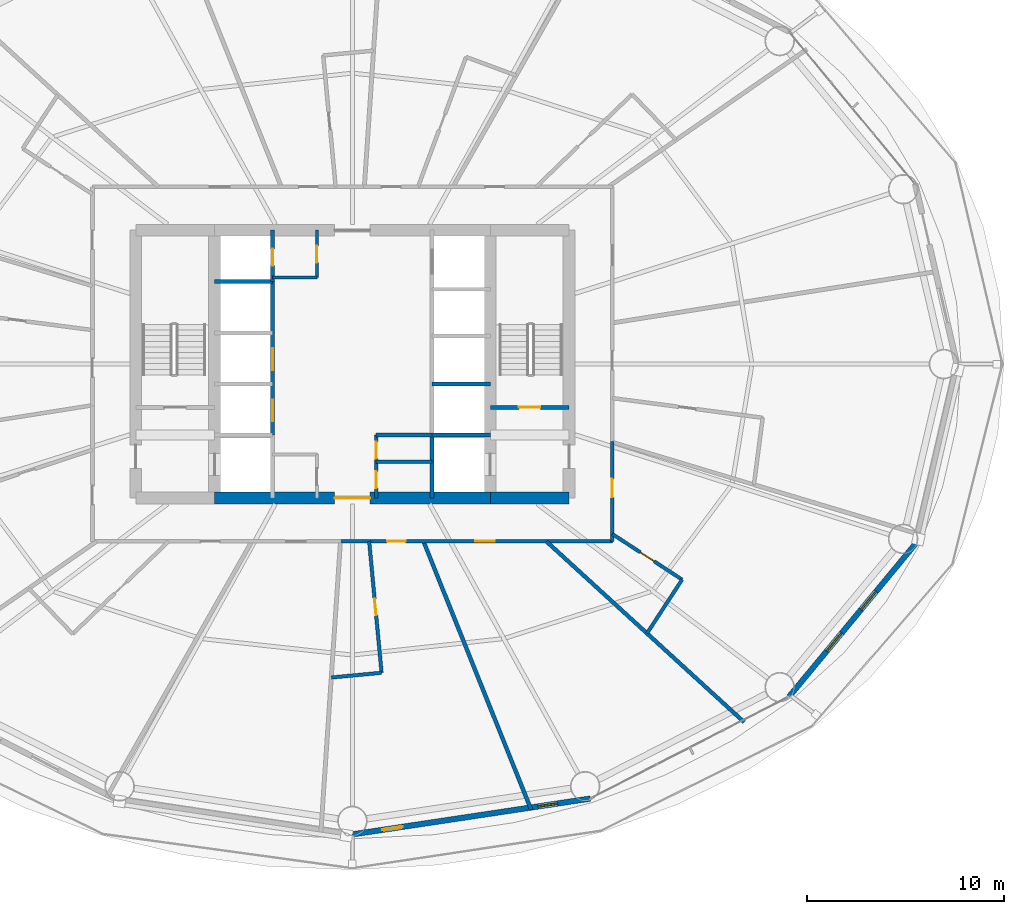
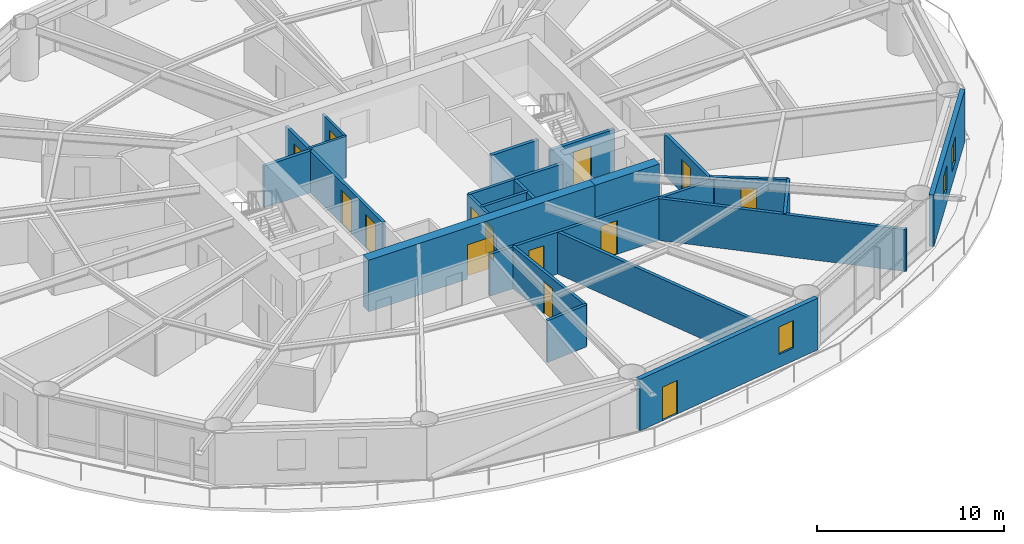
# One storey, part 23 of 28: 24 walls, 14 doors, 3 windows, 17 openings.
"""IFC4 building model written with IfcOpenShell, lengths in metres."""

from ifc_helpers import new_model, si_unit, direction, frame, frame_2d, origin, place, context, subcontext, project, spatial, rectangle, extrude, material, layer, layer_set, type_object, element, fill, save


model = new_model("IFC4")

# Units and contexts
model_context = context("Model", 3, precision=1e-05, world=origin(), true_north=direction((0.0, 1.0)))
body_context = subcontext(model_context, "Body", "Model", "MODEL_VIEW")
ifc_project = project(units=[si_unit("LENGTHUNIT", "METRE"), si_unit("AREAUNIT", "SQUARE_METRE"), si_unit("VOLUMEUNIT", "CUBIC_METRE"), si_unit("PLANEANGLEUNIT", "RADIAN"), si_unit("MASSUNIT", "GRAM", prefix="KILO")], contexts=[model_context])

# Site, building, storey
site_placement = place(None, origin())
site = spatial("IfcSite", under=ifc_project, at=site_placement, CompositionType="ELEMENT")
building_placement = place(site_placement, origin())
building = spatial("IfcBuilding", under=site, at=building_placement, Name="Sarneth Arch Tower", CompositionType="ELEMENT")
storey_placement = place(building_placement, frame((0.0, 0.0, 67.800048828125)))
storey = spatial("IfcBuildingStorey", under=building, at=storey_placement, Name="L16", CompositionType="ELEMENT", Elevation=67.800048828125)

# Wall, opening, door
ifc_material_1 = material(Name="Concrete C60/75", Category="concrete")
ifc_layer_1 = layer(ifc_material_1, 0.60009765625)
ifc_layer_set_1 = layer_set([ifc_layer_1], Name="Concrete C60/75")
wall_type_1 = type_object("IfcWallType", Name="WALL-CORE-600", PredefinedType="SHEAR", material=ifc_layer_set_1)
wall_1_placement = place(storey_placement, frame((41.0, 35.199951171875, 0.0), z_axis=(0.0, 0.0, 1.0), x_axis=(1.0, 0.0, 0.0)))
wall_1 = element("IfcWall", 1, at=wall_1_placement, inside=storey, type_object=wall_type_1, Name="L16 Core shear wall S-M", PredefinedType="SHEAR", context=body_context, shape_type="SweptSolid", body=[
    extrude(rectangle(XDim=14.0, YDim=0.60009765625, at=frame_2d((7.0, 0.0))), origin(), (0.0, 0.0, 1.0), 3.3798828125),
])
opening_1_placement = place(wall_1_placement, frame((6.10009765625, 0.0, 0.0)))
opening_1 = element("IfcOpeningElement", 2, at=opening_1_placement, cuts=wall_1, Name="Opening FD-01", PredefinedType="OPENING", context=body_context, shape_type="SweptSolid", body=[
    extrude(rectangle(XDim=1.800048828125, YDim=2.25, at=frame_2d((0.89990234375, 1.125))), frame((0.0, 0.31005859375, 0.0), z_axis=(0.0, -1.0, 0.0), x_axis=(1.0, 0.0, 0.0)), (0.0, 0.0, 1.0), 0.6201171875),
])
ifc_material_2 = material(Name="Galvanised Steel S275 fire door set", Category="steel")
door_type_1 = type_object("IfcDoorType", Name="DR-FD90-1800", OperationType="DOUBLE_DOOR_SINGLE_SWING", PredefinedType="DOOR", material=ifc_material_2)
door_1_placement = place(opening_1_placement, origin())
door_1 = element("IfcDoor", 3, at=door_1_placement, inside=storey, type_object=door_type_1, Name="L16 Central lift lobby south door", OperationType="DOUBLE_DOOR_SINGLE_SWING", OverallHeight=2.25, OverallWidth=1.800048828125, PredefinedType="DOOR", context=body_context, shape_type="SweptSolid", body=[
    extrude(rectangle(XDim=1.800048828125, YDim=2.25, at=frame_2d((0.89990234375, 1.125))), frame((0.0, 0.02490234375, 0.0), z_axis=(0.0, -1.0, 0.0), x_axis=(1.0, 0.0, 0.0)), (0.0, 0.0, 1.0), 0.050048828125),
])
fill(opening_1, door_1)

# Wall
wall_2_placement = place(storey_placement, frame((55.0, 35.199951171875, 0.0), z_axis=(0.0, 0.0, 1.0), x_axis=(1.0, 0.0, 0.0)))
element("IfcWall", 4, at=wall_2_placement, inside=storey, type_object=wall_type_1, Name="L16 Core shear wall S-E", PredefinedType="SHEAR", context=body_context, shape_type="SweptSolid", body=[
    extrude(rectangle(XDim=4.0, YDim=0.60009765625, at=frame_2d((2.0, 0.0))), origin(), (0.0, 0.0, 1.0), 3.3798828125),
])

# Wall, openings, doors
ifc_material_3 = material(Name="Double steel-stud corridor fire wall", Category="steel")
ifc_layer_2 = layer(ifc_material_3, 0.18994140625)
ifc_layer_set_2 = layer_set([ifc_layer_2], Name="Double steel-stud corridor fire wall")
wall_type_2 = type_object("IfcWallType", Name="WALL-CORR-190", PredefinedType="PARTITIONING", material=ifc_layer_set_2)
wall_3_placement = place(storey_placement, frame((61.199951171875, 33.0, 0.0), z_axis=(0.0, 0.0, 1.0), x_axis=(-1.0, 0.0, 0.0)))
wall_3 = element("IfcWall", 5, at=wall_3_placement, inside=storey, type_object=wall_type_2, Name="L16 Interior partition W-L16-TP-023", PredefinedType="PARTITIONING", context=body_context, shape_type="SweptSolid", body=[
    extrude(rectangle(XDim=13.8388671875, YDim=0.18994140625, at=frame_2d((6.91943359375, 0.0))), origin(), (0.0, 0.0, 1.0), 2.739990234375),
])
opening_2_placement = place(wall_3_placement, frame((5.96533203125, 0.0, 0.0)))
opening_2 = element("IfcOpeningElement", 6, at=opening_2_placement, cuts=wall_3, Name="Opening FD-08", PredefinedType="OPENING", context=body_context, shape_type="SweptSolid", body=[
    extrude(rectangle(XDim=1.0, YDim=2.199951171875, at=frame_2d((0.5, 1.10009765625))), frame((0.0, 0.10498046875, 0.0), z_axis=(0.0, -1.0, 0.0), x_axis=(1.0, 0.0, 0.0)), (0.0, 0.0, 1.0), 0.2099609375),
])
opening_3_placement = place(wall_3_placement, frame((10.493408203125, 0.0, 0.0)))
opening_3 = element("IfcOpeningElement", 7, at=opening_3_placement, cuts=wall_3, Name="Opening FD-09", PredefinedType="OPENING", context=body_context, shape_type="SweptSolid", body=[
    extrude(rectangle(XDim=0.949951171875, YDim=2.14990234375, at=frame_2d((0.47509765625, 1.074951171875))), frame((0.0, 0.10498046875, 0.0), z_axis=(0.0, -1.0, 0.0), x_axis=(1.0, 0.0, 0.0)), (0.0, 0.0, 1.0), 0.2099609375),
])
ifc_material_4 = material(Name="Hardwood timber acoustic fire door", Category="wood")
door_type_2 = type_object("IfcDoorType", Name="DR-FD60-1000", OperationType="SINGLE_SWING_LEFT", PredefinedType="DOOR", material=ifc_material_4)
door_2_placement = place(opening_2_placement, origin())
door_2 = element("IfcDoor", 8, at=door_2_placement, inside=storey, type_object=door_type_2, Name="L16 Interior door DR-L16-AMN-12", OperationType="SINGLE_SWING_LEFT", OverallHeight=2.199951171875, OverallWidth=1.0, PredefinedType="DOOR", context=body_context, shape_type="SweptSolid", body=[
    extrude(rectangle(XDim=1.0, YDim=2.199951171875, at=frame_2d((0.5, 1.10009765625))), frame((0.0, 0.02490234375, 0.0), z_axis=(0.0, -1.0, 0.0), x_axis=(1.0, 0.0, 0.0)), (0.0, 0.0, 1.0), 0.050048828125),
])
fill(opening_2, door_2)
ifc_material_5 = material(Name="Hardwood timber hotel entrance fire door", Category="wood")
door_type_3 = type_object("IfcDoorType", Name="DR-FD60-950", OperationType="SINGLE_SWING_RIGHT", PredefinedType="DOOR", material=ifc_material_5)
door_3_placement = place(opening_3_placement, origin())
door_3 = element("IfcDoor", 9, at=door_3_placement, inside=storey, type_object=door_type_3, Name="L16 Interior door DR-L16-KEY-11", OperationType="SINGLE_SWING_LEFT", OverallHeight=2.14990234375, OverallWidth=0.949951171875, PredefinedType="DOOR", context=body_context, shape_type="SweptSolid", body=[
    extrude(rectangle(XDim=0.949951171875, YDim=2.14990234375, at=frame_2d((0.47509765625, 1.074951171875))), frame((0.0, 0.02490234375, 0.0), z_axis=(0.0, -1.0, 0.0), x_axis=(1.0, 0.0, 0.0)), (0.0, 0.0, 1.0), 0.050048828125),
])
fill(opening_3, door_3)

# Wall, opening, door
wall_4_placement = place(storey_placement, frame((61.199951171875, 38.069580078125, 0.0), z_axis=(0.0, 0.0, 1.0), x_axis=(0.0, -1.0, 0.0)))
wall_4 = element("IfcWall", 10, at=wall_4_placement, inside=storey, type_object=wall_type_2, Name="L16 Interior partition W-L16-TP-024", PredefinedType="PARTITIONING", context=body_context, shape_type="SweptSolid", body=[
    extrude(rectangle(XDim=5.069580078125, YDim=0.18994140625, at=frame_2d((2.53466796875, 0.0))), origin(), (0.0, 0.0, 1.0), 2.739990234375),
])
opening_4_placement = place(wall_4_placement, frame((1.89306640625, 0.0, 0.0)))
opening_4 = element("IfcOpeningElement", 11, at=opening_4_placement, cuts=wall_4, Name="Opening FD-09", PredefinedType="OPENING", context=body_context, shape_type="SweptSolid", body=[
    extrude(rectangle(XDim=0.949951171875, YDim=2.14990234375, at=frame_2d((0.47509765625, 1.074951171875))), frame((0.0, 0.10498046875, 0.0), z_axis=(0.0, -1.0, 0.0), x_axis=(1.0, 0.0, 0.0)), (0.0, 0.0, 1.0), 0.2099609375),
])
door_4_placement = place(opening_4_placement, origin())
door_4 = element("IfcDoor", 12, at=door_4_placement, inside=storey, type_object=door_type_3, Name="L16 Interior door DR-L16-KEY-13", OperationType="SINGLE_SWING_RIGHT", OverallHeight=2.14990234375, OverallWidth=0.949951171875, PredefinedType="DOOR", context=body_context, shape_type="SweptSolid", body=[
    extrude(rectangle(XDim=0.949951171875, YDim=2.14990234375, at=frame_2d((0.47509765625, 1.074951171875))), frame((0.0, 0.02490234375, 0.0), z_axis=(0.0, -1.0, 0.0), x_axis=(1.0, 0.0, 0.0)), (0.0, 0.0, 1.0), 0.050048828125),
])
fill(opening_4, door_4)

# Wall, openings, door, window
ifc_material_6 = material(Name="Extruded terracotta rainscreen on Concrete C40/50 backing", Category="masonry")
ifc_layer_3 = layer(ifc_material_6, 0.280029296875)
ifc_layer_set_3 = layer_set([ifc_layer_3], Name="Extruded terracotta rainscreen on Concrete C40/50 backing")
wall_type_3 = type_object("IfcWallType", Name="WALL-EXT-TERRA-280", PredefinedType="SOLIDWALL", material=ifc_layer_set_3)
wall_5_placement = place(storey_placement, frame((48.0, 18.1201171875, 0.0), z_axis=(0.0, 0.0, 1.0), x_axis=(0.988864835849, 0.148816452121, 0.0)))
wall_5 = element("IfcWall", 13, at=wall_5_placement, inside=storey, type_object=wall_type_3, Name="L16 Terracotta perimeter wall 13", PredefinedType="SOLIDWALL", context=body_context, shape_type="SweptSolid", body=[
    extrude(rectangle(XDim=12.2138671875, YDim=0.280029296875, at=frame_2d((6.10693359375, 0.0))), origin(), (0.0, 0.0, 1.0), 3.3798828125),
])
opening_5_placement = place(wall_5_placement, frame((1.53125, 0.0, 0.0)))
opening_5 = element("IfcOpeningElement", 14, at=opening_5_placement, cuts=wall_5, Name="Opening BD-4", PredefinedType="OPENING", context=body_context, shape_type="SweptSolid", body=[
    extrude(rectangle(XDim=1.050048828125, YDim=2.199951171875, at=frame_2d((0.52490234375, 1.10009765625))), frame((0.0, 0.14990234375, 0.0), z_axis=(0.0, -1.0, 0.0), x_axis=(1.0, 0.0, 0.0)), (0.0, 0.0, 1.0), 0.300048828125),
])
opening_6_placement = place(wall_5_placement, frame((9.531494140625, 0.0, 0.85009765625)))
opening_6 = element("IfcOpeningElement", 15, at=opening_6_placement, cuts=wall_5, Name="Opening W-11", PredefinedType="OPENING", context=body_context, shape_type="SweptSolid", body=[
    extrude(rectangle(XDim=1.0, YDim=1.800048828125, at=frame_2d((0.5, 0.89990234375))), frame((0.0, 0.14990234375, 0.0), z_axis=(0.0, -1.0, 0.0), x_axis=(1.0, 0.0, 0.0)), (0.0, 0.0, 1.0), 0.300048828125),
])
ifc_material_7 = material(Name="Thermally broken Aluminium 6063-T6 and laminated safety glass", Category="aluminium")
door_type_4 = type_object("IfcDoorType", Name="DR-BALC-GLZ-1050", OperationType="SINGLE_SWING_RIGHT", PredefinedType="DOOR", material=ifc_material_7)
door_5_placement = place(opening_5_placement, origin())
door_5 = element("IfcDoor", 16, at=door_5_placement, inside=storey, type_object=door_type_4, Name="L16 Balcony glazed door 13", OperationType="SINGLE_SWING_RIGHT", OverallHeight=2.199951171875, OverallWidth=1.050048828125, PredefinedType="DOOR", context=body_context, shape_type="SweptSolid", body=[
    extrude(rectangle(XDim=1.050048828125, YDim=2.199951171875, at=frame_2d((0.52490234375, 1.10009765625))), frame((0.0, 0.02490234375, 0.0), z_axis=(0.0, -1.0, 0.0), x_axis=(1.0, 0.0, 0.0)), (0.0, 0.0, 1.0), 0.050048828125),
])
fill(opening_5, door_5)
ifc_material_8 = material(Name="Thermally broken Aluminium 6063-T6 and low-e laminated IGU", Category="aluminium")
window_type_1 = type_object("IfcWindowType", Name="WIN-TWR-1000x1800", PartitioningType="SINGLE_PANEL", PredefinedType="WINDOW", material=ifc_material_8)
window_1_placement = place(opening_6_placement, origin())
window_1 = element("IfcWindow", 17, at=window_1_placement, inside=storey, type_object=window_type_1, Name="L16 Exterior window 13A", OverallHeight=1.800048828125, OverallWidth=1.0, PartitioningType="SINGLE_PANEL", PredefinedType="WINDOW", context=body_context, shape_type="SweptSolid", body=[
    extrude(rectangle(XDim=1.0, YDim=1.800048828125, at=frame_2d((0.5, 0.89990234375))), frame((0.0, 0.030029296875, 0.0), z_axis=(0.0, -1.0, 0.0), x_axis=(1.0, 0.0, 0.0)), (0.0, 0.0, 1.0), 0.06005859375),
])
fill(opening_6, window_1)

# Wall, openings, windows
wall_6_placement = place(storey_placement, frame((70.174072265625, 25.1142578125, 0.0), z_axis=(0.0, 0.0, 1.0), x_axis=(0.637296809613, 0.770618437657, 0.0)))
wall_6 = element("IfcWall", 18, at=wall_6_placement, inside=storey, type_object=wall_type_3, Name="L16 Terracotta perimeter wall 15", PredefinedType="SOLIDWALL", context=body_context, shape_type="SweptSolid", body=[
    extrude(rectangle(XDim=10.053466796875, YDim=0.280029296875, at=frame_2d((5.02685546875, 0.0))), origin(), (0.0, 0.0, 1.0), 3.3798828125),
])
opening_7_placement = place(wall_6_placement, frame((2.998046875, 0.0, 0.85009765625)))
opening_7 = element("IfcOpeningElement", 19, at=opening_7_placement, cuts=wall_6, Name="Opening W-10", PredefinedType="OPENING", context=body_context, shape_type="SweptSolid", body=[
    extrude(rectangle(XDim=1.199951171875, YDim=1.60009765625, at=frame_2d((0.60009765625, 0.800048828125))), frame((0.0, 0.14990234375, 0.0), z_axis=(0.0, -1.0, 0.0), x_axis=(1.0, 0.0, 0.0)), (0.0, 0.0, 1.0), 0.300048828125),
])
opening_8_placement = place(wall_6_placement, frame((5.729736328125, 0.0, 0.85009765625)))
opening_8 = element("IfcOpeningElement", 20, at=opening_8_placement, cuts=wall_6, Name="Opening W-10", PredefinedType="OPENING", context=body_context, shape_type="SweptSolid", body=[
    extrude(rectangle(XDim=1.199951171875, YDim=1.60009765625, at=frame_2d((0.60009765625, 0.800048828125))), frame((0.0, 0.14990234375, 0.0), z_axis=(0.0, -1.0, 0.0), x_axis=(1.0, 0.0, 0.0)), (0.0, 0.0, 1.0), 0.300048828125),
])
ifc_material_9 = material(Name="Thermally broken Aluminium 6063-T6 and low-e laminated IGU", Category="aluminium")
window_type_2 = type_object("IfcWindowType", Name="WIN-TWR-1200x1600", PartitioningType="SINGLE_PANEL", PredefinedType="WINDOW", material=ifc_material_9)
window_2_placement = place(opening_7_placement, origin())
window_2 = element("IfcWindow", 21, at=window_2_placement, inside=storey, type_object=window_type_2, Name="L16 Exterior window 15A", OverallHeight=1.60009765625, OverallWidth=1.199951171875, PartitioningType="SINGLE_PANEL", PredefinedType="WINDOW", context=body_context, shape_type="SweptSolid", body=[
    extrude(rectangle(XDim=1.199951171875, YDim=1.60009765625, at=frame_2d((0.60009765625, 0.800048828125))), frame((0.0, 0.030029296875, 0.0), z_axis=(0.0, -1.0, 0.0), x_axis=(1.0, 0.0, 0.0)), (0.0, 0.0, 1.0), 0.06005859375),
])
fill(opening_7, window_2)
window_3_placement = place(opening_8_placement, origin())
window_3 = element("IfcWindow", 22, at=window_3_placement, inside=storey, type_object=window_type_2, Name="L16 Exterior window 15B", OverallHeight=1.60009765625, OverallWidth=1.199951171875, PartitioningType="SINGLE_PANEL", PredefinedType="WINDOW", context=body_context, shape_type="SweptSolid", body=[
    extrude(rectangle(XDim=1.199951171875, YDim=1.60009765625, at=frame_2d((0.60009765625, 0.800048828125))), frame((0.0, 0.030029296875, 0.0), z_axis=(0.0, -1.0, 0.0), x_axis=(1.0, 0.0, 0.0)), (0.0, 0.0, 1.0), 0.06005859375),
])
fill(opening_8, window_3)

# Wall
ifc_material_10 = material(Name="Acoustic gypsum stud partition", Category="gypsum")
ifc_layer_4 = layer(ifc_material_10, 0.14990234375)
ifc_layer_set_4 = layer_set([ifc_layer_4], Name="Acoustic gypsum stud partition")
wall_type_4 = type_object("IfcWallType", Name="WALL-PART-150", PredefinedType="PARTITIONING", material=ifc_layer_set_4)
wall_7_placement = place(storey_placement, frame((43.949951171875, 46.39990234375, 0.0), z_axis=(0.0, 0.0, 1.0), x_axis=(1.0, 0.0, 0.0)))
element("IfcWall", 23, at=wall_7_placement, inside=storey, type_object=wall_type_4, Name="L16 Interior partition W-L16-CSUP2-S", PredefinedType="PARTITIONING", context=body_context, shape_type="SweptSolid", body=[
    extrude(rectangle(XDim=2.25, YDim=0.14990234375, at=frame_2d((1.125, 0.0))), origin(), (0.0, 0.0, 1.0), 2.739990234375),
])

# Wall, opening, door
wall_8_placement = place(storey_placement, frame((46.199951171875, 46.39990234375, 0.0), z_axis=(0.0, 0.0, 1.0), x_axis=(0.0, 1.0, 0.0)))
wall_8 = element("IfcWall", 24, at=wall_8_placement, inside=storey, type_object=wall_type_4, Name="L16 Interior partition W-L16-CSUP2-E", PredefinedType="PARTITIONING", context=body_context, shape_type="SweptSolid", body=[
    extrude(rectangle(XDim=2.400146484375, YDim=0.14990234375, at=frame_2d((1.2001953125, 0.0))), origin(), (0.0, 0.0, 1.0), 2.739990234375),
])
opening_9_placement = place(wall_8_placement, frame((0.75, 0.0, 0.0)))
opening_9 = element("IfcOpeningElement", 25, at=opening_9_placement, cuts=wall_8, Name="Opening FD-11", PredefinedType="OPENING", context=body_context, shape_type="SweptSolid", body=[
    extrude(rectangle(XDim=0.85009765625, YDim=2.14990234375, at=frame_2d((0.425048828125, 1.074951171875))), frame((0.0, 0.0849609375, 0.0), z_axis=(0.0, -1.0, 0.0), x_axis=(1.0, 0.0, 0.0)), (0.0, 0.0, 1.0), 0.169921875),
])
ifc_material_11 = material(Name="Galvanised Steel S275 closet fire door", Category="steel")
door_type_5 = type_object("IfcDoorType", Name="DR-FD60-850", OperationType="SINGLE_SWING_LEFT", PredefinedType="DOOR", material=ifc_material_11)
door_6_placement = place(opening_9_placement, origin())
door_6 = element("IfcDoor", 26, at=door_6_placement, inside=storey, type_object=door_type_5, Name="L16 Interior door DR-L16-CSUP2", OperationType="SINGLE_SWING_RIGHT", OverallHeight=2.14990234375, OverallWidth=0.85009765625, PredefinedType="DOOR", context=body_context, shape_type="SweptSolid", body=[
    extrude(rectangle(XDim=0.85009765625, YDim=2.14990234375, at=frame_2d((0.425048828125, 1.074951171875))), frame((0.0, 0.02490234375, 0.0), z_axis=(0.0, -1.0, 0.0), x_axis=(1.0, 0.0, 0.0)), (0.0, 0.0, 1.0), 0.050048828125),
])
fill(opening_9, door_6)

# Walls
ifc_material_12 = material(Name="Moisture-resistant plumbing chase wall", Category="gypsum")
ifc_layer_5 = layer(ifc_material_12, 0.179931640625)
ifc_layer_set_5 = layer_set([ifc_layer_5], Name="Moisture-resistant plumbing chase wall")
wall_type_5 = type_object("IfcWallType", Name="WALL-PLUMB-180", PredefinedType="PLUMBINGWALL", material=ifc_layer_set_5)
for number, where, z_axis, x_axis, name in (
    (27, (49.199951171875, 37.050048828125, 0.0), (0.0, 0.0, 1.0), (1.0, 0.0, 0.0), "L16 Interior partition W-L16-AWC-M"),
    (28, (49.199951171875, 38.39990234375, 0.0), (0.0, 0.0, 1.0), (1.0, 0.0, 0.0), "L16 Interior partition W-L16-AWC-N"),
):
    element("IfcWall", number, at=place(storey_placement, frame(where, z_axis=z_axis, x_axis=x_axis)), inside=storey, type_object=wall_type_5, Name=name, PredefinedType="PLUMBINGWALL", context=body_context, shape_type="SweptSolid", body=[
        extrude(rectangle(XDim=2.85009765625, YDim=0.179931640625, at=frame_2d((1.425048828125, 0.0))), origin(), (0.0, 0.0, 1.0), 2.739990234375),
    ])

# Wall, openings, doors
wall_9_placement = place(storey_placement, frame((49.199951171875, 35.199951171875, 0.0), z_axis=(0.0, 0.0, 1.0), x_axis=(0.0, 1.0, 0.0)))
wall_9 = element("IfcWall", 29, at=wall_9_placement, inside=storey, type_object=wall_type_5, Name="L16 Interior partition W-L16-AWC-W", PredefinedType="PLUMBINGWALL", context=body_context, shape_type="SweptSolid", body=[
    extrude(rectangle(XDim=3.199951171875, YDim=0.179931640625, at=frame_2d((1.60009765625, 0.0))), origin(), (0.0, 0.0, 1.0), 2.739990234375),
])
opening_10_placement = place(wall_9_placement, frame((0.5, 0.0, 0.0)))
opening_10 = element("IfcOpeningElement", 30, at=opening_10_placement, cuts=wall_9, Name="Opening ID-02", PredefinedType="OPENING", context=body_context, shape_type="SweptSolid", body=[
    extrude(rectangle(XDim=0.85009765625, YDim=2.10009765625, at=frame_2d((0.425048828125, 1.050048828125))), frame((0.0, 0.099853515625, 0.0), z_axis=(0.0, -1.0, 0.0), x_axis=(1.0, 0.0, 0.0)), (0.0, 0.0, 1.0), 0.199951171875),
])
opening_11_placement = place(wall_9_placement, frame((2.0, 0.0, 0.0)))
opening_11 = element("IfcOpeningElement", 31, at=opening_11_placement, cuts=wall_9, Name="Opening FD-11", PredefinedType="OPENING", context=body_context, shape_type="SweptSolid", body=[
    extrude(rectangle(XDim=0.85009765625, YDim=2.14990234375, at=frame_2d((0.425048828125, 1.074951171875))), frame((0.0, 0.099853515625, 0.0), z_axis=(0.0, -1.0, 0.0), x_axis=(1.0, 0.0, 0.0)), (0.0, 0.0, 1.0), 0.199951171875),
])
door_7_placement = place(opening_11_placement, origin())
door_7 = element("IfcDoor", 32, at=door_7_placement, inside=storey, type_object=door_type_5, Name="L16 Interior door DR-L16-CSUP3", OperationType="SINGLE_SWING_LEFT", OverallHeight=2.14990234375, OverallWidth=0.85009765625, PredefinedType="DOOR", context=body_context, shape_type="SweptSolid", body=[
    extrude(rectangle(XDim=0.85009765625, YDim=2.14990234375, at=frame_2d((0.425048828125, 1.074951171875))), frame((0.0, 0.02490234375, 0.0), z_axis=(0.0, -1.0, 0.0), x_axis=(1.0, 0.0, 0.0)), (0.0, 0.0, 1.0), 0.050048828125),
])
fill(opening_11, door_7)
ifc_material_13 = material(Name="Moisture-resistant bathroom timber door", Category="wood")
door_type_6 = type_object("IfcDoorType", Name="DR-INT-850", OperationType="SINGLE_SWING_RIGHT", PredefinedType="DOOR", material=ifc_material_13)
door_8_placement = place(opening_10_placement, origin())
door_8 = element("IfcDoor", 33, at=door_8_placement, inside=storey, type_object=door_type_6, Name="L16 Interior door DR-L16-AWC", OperationType="SINGLE_SWING_RIGHT", OverallHeight=2.10009765625, OverallWidth=0.85009765625, PredefinedType="DOOR", context=body_context, shape_type="SweptSolid", body=[
    extrude(rectangle(XDim=0.85009765625, YDim=2.10009765625, at=frame_2d((0.425048828125, 1.050048828125))), frame((0.0, 0.02490234375, 0.0), z_axis=(0.0, -1.0, 0.0), x_axis=(1.0, 0.0, 0.0)), (0.0, 0.0, 1.0), 0.050048828125),
])
fill(opening_10, door_8)

# Wall, opening, door
wall_10_placement = place(storey_placement, frame((49.481689453125, 26.326171875, 0.0), z_axis=(0.0, 0.0, 1.0), x_axis=(-0.094107851527, 0.995562008255, 0.0)))
wall_10 = element("IfcWall", 34, at=wall_10_placement, inside=storey, type_object=wall_type_5, Name="L16 Interior partition W-L16-TP-063", PredefinedType="PLUMBINGWALL", context=body_context, shape_type="SweptSolid", body=[
    extrude(rectangle(XDim=6.70361328125, YDim=0.179931640625, at=frame_2d((3.351806640625, 0.0))), origin(), (0.0, 0.0, 1.0), 2.739990234375),
])
opening_12_placement = place(wall_10_placement, frame((2.9267578125, 0.0, 0.0)))
opening_12 = element("IfcOpeningElement", 35, at=opening_12_placement, cuts=wall_10, Name="Opening ID-02", PredefinedType="OPENING", context=body_context, shape_type="SweptSolid", body=[
    extrude(rectangle(XDim=0.85009765625, YDim=2.10009765625, at=frame_2d((0.425048828125, 1.050048828125))), frame((0.0, 0.099853515625, 0.0), z_axis=(0.0, -1.0, 0.0), x_axis=(1.0, 0.0, 0.0)), (0.0, 0.0, 1.0), 0.199951171875),
])
door_9_placement = place(opening_12_placement, origin())
door_9 = element("IfcDoor", 36, at=door_9_placement, inside=storey, type_object=door_type_6, Name="L16 Interior door DR-L16-ENS-11", OperationType="SINGLE_SWING_RIGHT", OverallHeight=2.10009765625, OverallWidth=0.85009765625, PredefinedType="DOOR", context=body_context, shape_type="SweptSolid", body=[
    extrude(rectangle(XDim=0.85009765625, YDim=2.10009765625, at=frame_2d((0.425048828125, 1.050048828125))), frame((0.0, 0.02490234375, 0.0), z_axis=(0.0, -1.0, 0.0), x_axis=(1.0, 0.0, 0.0)), (0.0, 0.0, 1.0), 0.050048828125),
])
fill(opening_12, door_9)

wall_11_placement = place(storey_placement, frame((64.74169921875, 31.056396484375, 0.0), z_axis=(0.0, 0.0, 1.0), x_axis=(-0.837031612028, 0.5471545307, 0.0)))
wall_11 = element("IfcWall", 37, at=wall_11_placement, inside=storey, type_object=wall_type_5, Name="L16 Interior partition W-L16-TP-068", PredefinedType="PLUMBINGWALL", context=body_context, shape_type="SweptSolid", body=[
    extrude(rectangle(XDim=4.231201171875, YDim=0.179931640625, at=frame_2d((2.11572265625, 0.0))), origin(), (0.0, 0.0, 1.0), 2.739990234375),
])
opening_13_placement = place(wall_11_placement, frame((1.690673828125, 0.0, 0.0)))
opening_13 = element("IfcOpeningElement", 38, at=opening_13_placement, cuts=wall_11, Name="Opening ID-02", PredefinedType="OPENING", context=body_context, shape_type="SweptSolid", body=[
    extrude(rectangle(XDim=0.85009765625, YDim=2.10009765625, at=frame_2d((0.425048828125, 1.050048828125))), frame((0.0, 0.099853515625, 0.0), z_axis=(0.0, -1.0, 0.0), x_axis=(1.0, 0.0, 0.0)), (0.0, 0.0, 1.0), 0.199951171875),
])
door_10_placement = place(opening_13_placement, origin())
door_10 = element("IfcDoor", 39, at=door_10_placement, inside=storey, type_object=door_type_6, Name="L16 Interior door DR-L16-ENS-13", OperationType="SINGLE_SWING_LEFT", OverallHeight=2.10009765625, OverallWidth=0.85009765625, PredefinedType="DOOR", context=body_context, shape_type="SweptSolid", body=[
    extrude(rectangle(XDim=0.85009765625, YDim=2.10009765625, at=frame_2d((0.425048828125, 1.050048828125))), frame((0.0, 0.02490234375, 0.0), z_axis=(0.0, -1.0, 0.0), x_axis=(1.0, 0.0, 0.0)), (0.0, 0.0, 1.0), 0.050048828125),
])
fill(opening_13, door_10)

# Walls
wall_12_placement = place(storey_placement, frame((62.9580078125, 28.327880859375, 0.0), z_axis=(0.0, 0.0, 1.0), x_axis=(0.547176717469, 0.837017108463, 0.0)))
element("IfcWall", 40, at=wall_12_placement, inside=storey, type_object=wall_type_5, Name="L16 Interior partition W-L16-TP-067", PredefinedType="PLUMBINGWALL", context=body_context, shape_type="SweptSolid", body=[
    extrude(rectangle(XDim=3.259765625, YDim=0.179931640625, at=frame_2d((1.6298828125, 0.0))), origin(), (0.0, 0.0, 1.0), 2.739990234375),
])
wall_13_placement = place(storey_placement, frame((46.927001953125, 26.084716796875, 0.0), z_axis=(0.0, 0.0, 1.0), x_axis=(0.995563205557, 0.09409518447, 0.0)))
element("IfcWall", 41, at=wall_13_placement, inside=storey, type_object=wall_type_5, Name="L16 Interior partition W-L16-TP-062", PredefinedType="PLUMBINGWALL", context=body_context, shape_type="SweptSolid", body=[
    extrude(rectangle(XDim=2.566162109375, YDim=0.179931640625, at=frame_2d((1.283203125, 0.0))), origin(), (0.0, 0.0, 1.0), 2.739990234375),
])

# Wall, opening, door
ifc_material_14 = material(Name="Aerated concrete blockwork C25/30", Category="masonry")
ifc_layer_6 = layer(ifc_material_14, 0.199951171875)
ifc_layer_set_6 = layer_set([ifc_layer_6], Name="Aerated concrete blockwork C25/30")
wall_type_6 = type_object("IfcWallType", Name="WALL-SHAFT-200", PredefinedType="SOLIDWALL", material=ifc_layer_set_6)
wall_14_placement = place(storey_placement, frame((55.0, 39.800048828125, 0.0), z_axis=(0.0, 0.0, 1.0), x_axis=(1.0, 0.0, 0.0)))
wall_14 = element("IfcWall", 42, at=wall_14_placement, inside=storey, type_object=wall_type_6, Name="L16 Interior partition W-L16-ST2-S", PredefinedType="SOLIDWALL", context=body_context, shape_type="SweptSolid", body=[
    extrude(rectangle(XDim=4.0, YDim=0.199951171875, at=frame_2d((2.0, 0.0))), origin(), (0.0, 0.0, 1.0), 2.739990234375),
])
opening_14_placement = place(wall_14_placement, frame((1.449951171875, 0.0, 0.0)))
opening_14 = element("IfcOpeningElement", 43, at=opening_14_placement, cuts=wall_14, Name="Opening FD-03", PredefinedType="OPENING", context=body_context, shape_type="SweptSolid", body=[
    extrude(rectangle(XDim=1.10009765625, YDim=2.14990234375, at=frame_2d((0.550048828125, 1.074951171875))), frame((0.0, 0.10986328125, 0.0), z_axis=(0.0, -1.0, 0.0), x_axis=(1.0, 0.0, 0.0)), (0.0, 0.0, 1.0), 0.219970703125),
])
ifc_material_15 = material(Name="Galvanised Steel S275 fire door set", Category="steel")
door_type_7 = type_object("IfcDoorType", Name="DR-FD90-1100", OperationType="SINGLE_SWING_LEFT", PredefinedType="DOOR", material=ifc_material_15)
door_11_placement = place(opening_14_placement, origin())
door_11 = element("IfcDoor", 44, at=door_11_placement, inside=storey, type_object=door_type_7, Name="L16 Interior door DR-L16-ST2", OperationType="SINGLE_SWING_RIGHT", OverallHeight=2.14990234375, OverallWidth=1.10009765625, PredefinedType="DOOR", context=body_context, shape_type="SweptSolid", body=[
    extrude(rectangle(XDim=1.10009765625, YDim=2.14990234375, at=frame_2d((0.550048828125, 1.074951171875))), frame((0.0, 0.02490234375, 0.0), z_axis=(0.0, -1.0, 0.0), x_axis=(1.0, 0.0, 0.0)), (0.0, 0.0, 1.0), 0.050048828125),
])
fill(opening_14, door_11)

# Walls
wall_15_placement = place(storey_placement, frame((52.050048828125, 35.199951171875, 0.0), z_axis=(0.0, 0.0, 1.0), x_axis=(0.0, 1.0, 0.0)))
element("IfcWall", 45, at=wall_15_placement, inside=storey, type_object=wall_type_6, Name="L16 Interior partition W-L16-FL2-W", PredefinedType="SOLIDWALL", context=body_context, shape_type="SweptSolid", body=[
    extrude(rectangle(XDim=3.199951171875, YDim=0.199951171875, at=frame_2d((1.60009765625, 0.0))), origin(), (0.0, 0.0, 1.0), 2.739990234375),
])
for number, where, z_axis, x_axis, name in (
    (46, (52.050048828125, 38.39990234375, 0.0), (0.0, 0.0, 1.0), (1.0, 0.0, 0.0), "L16 Interior partition W-L16-FL2-N"),
    (47, (41.0, 46.199951171875, 0.0), (0.0, 0.0, 1.0), (1.0, 0.0, 0.0), "L16 Interior partition W-L16-RISER-S"),
):
    element("IfcWall", number, at=place(storey_placement, frame(where, z_axis=z_axis, x_axis=x_axis)), inside=storey, type_object=wall_type_6, Name=name, PredefinedType="SOLIDWALL", context=body_context, shape_type="SweptSolid", body=[
        extrude(rectangle(XDim=2.949951171875, YDim=0.199951171875, at=frame_2d((1.47509765625, 0.0))), origin(), (0.0, 0.0, 1.0), 2.739990234375),
    ])

# Wall, opening, door
wall_16_placement = place(storey_placement, frame((43.949951171875, 46.199951171875, 0.0), z_axis=(0.0, 0.0, 1.0), x_axis=(0.0, 1.0, 0.0)))
wall_16 = element("IfcWall", 48, at=wall_16_placement, inside=storey, type_object=wall_type_6, Name="L16 Interior partition W-L16-RISER-E", PredefinedType="SOLIDWALL", context=body_context, shape_type="SweptSolid", body=[
    extrude(rectangle(XDim=2.60009765625, YDim=0.199951171875, at=frame_2d((1.300048828125, 0.0))), origin(), (0.0, 0.0, 1.0), 2.739990234375),
])
opening_15_placement = place(wall_16_placement, frame((0.800048828125, 0.0, 0.0)))
opening_15 = element("IfcOpeningElement", 49, at=opening_15_placement, cuts=wall_16, Name="Opening FD-11", PredefinedType="OPENING", context=body_context, shape_type="SweptSolid", body=[
    extrude(rectangle(XDim=0.85009765625, YDim=2.14990234375, at=frame_2d((0.425048828125, 1.074951171875))), frame((0.0, 0.10986328125, 0.0), z_axis=(0.0, -1.0, 0.0), x_axis=(1.0, 0.0, 0.0)), (0.0, 0.0, 1.0), 0.219970703125),
])
door_12_placement = place(opening_15_placement, origin())
door_12 = element("IfcDoor", 50, at=door_12_placement, inside=storey, type_object=door_type_5, Name="L16 Lift landing door DR-L16-RISER", OperationType="SINGLE_SWING_LEFT", OverallHeight=2.14990234375, OverallWidth=0.85009765625, PredefinedType="DOOR", context=body_context, shape_type="SweptSolid", body=[
    extrude(rectangle(XDim=0.85009765625, YDim=2.14990234375, at=frame_2d((0.425048828125, 1.074951171875))), frame((0.0, 0.02490234375, 0.0), z_axis=(0.0, -1.0, 0.0), x_axis=(1.0, 0.0, 0.0)), (0.0, 0.0, 1.0), 0.050048828125),
])
fill(opening_15, door_12)

# Wall, openings, doors
wall_17_placement = place(storey_placement, frame((43.949951171875, 38.39990234375, 0.0), z_axis=(0.0, 0.0, 1.0), x_axis=(0.0, 1.0, 0.0)))
wall_17 = element("IfcWall", 51, at=wall_17_placement, inside=storey, type_object=wall_type_6, Name="L16 Interior partition W-L16-WESTBANK-FRONT", PredefinedType="SOLIDWALL", context=body_context, shape_type="SweptSolid", body=[
    extrude(rectangle(XDim=7.800048828125, YDim=0.199951171875, at=frame_2d((3.89990234375, 0.0))), origin(), (0.0, 0.0, 1.0), 2.739990234375),
])
opening_16_placement = place(wall_17_placement, frame((0.699951171875, 0.0, 0.0)))
opening_16 = element("IfcOpeningElement", 52, at=opening_16_placement, cuts=wall_17, Name="Opening LD-1", PredefinedType="OPENING", context=body_context, shape_type="SweptSolid", body=[
    extrude(rectangle(XDim=1.10009765625, YDim=2.199951171875, at=frame_2d((0.550048828125, 1.10009765625))), frame((0.0, 0.10986328125, 0.0), z_axis=(0.0, -1.0, 0.0), x_axis=(1.0, 0.0, 0.0)), (0.0, 0.0, 1.0), 0.219970703125),
])
opening_17_placement = place(wall_17_placement, frame((3.300048828125, 0.0, 0.0)))
opening_17 = element("IfcOpeningElement", 53, at=opening_17_placement, cuts=wall_17, Name="Opening LD-1", PredefinedType="OPENING", context=body_context, shape_type="SweptSolid", body=[
    extrude(rectangle(XDim=1.10009765625, YDim=2.199951171875, at=frame_2d((0.550048828125, 1.10009765625))), frame((0.0, 0.10986328125, 0.0), z_axis=(0.0, -1.0, 0.0), x_axis=(1.0, 0.0, 0.0)), (0.0, 0.0, 1.0), 0.219970703125),
])
ifc_material_16 = material(Name="Brushed Stainless Steel 304 lift landing door", Category="steel")
door_type_8 = type_object("IfcDoorType", Name="DR-LIFT-SLIDE-1100", OperationType="SLIDING_TO_LEFT", PredefinedType="DOOR", material=ifc_material_16)
door_13_placement = place(opening_16_placement, origin())
door_13 = element("IfcDoor", 54, at=door_13_placement, inside=storey, type_object=door_type_8, Name="L16 Lift landing door DR-L16-LD-PL1", OperationType="SLIDING_TO_LEFT", OverallHeight=2.199951171875, OverallWidth=1.10009765625, PredefinedType="DOOR", context=body_context, shape_type="SweptSolid", body=[
    extrude(rectangle(XDim=1.10009765625, YDim=2.199951171875, at=frame_2d((0.550048828125, 1.10009765625))), frame((0.0, 0.02490234375, 0.0), z_axis=(0.0, -1.0, 0.0), x_axis=(1.0, 0.0, 0.0)), (0.0, 0.0, 1.0), 0.050048828125),
])
fill(opening_16, door_13)
door_14_placement = place(opening_17_placement, origin())
door_14 = element("IfcDoor", 55, at=door_14_placement, inside=storey, type_object=door_type_8, Name="L16 Lift landing door DR-L16-LD-PL2", OperationType="SLIDING_TO_RIGHT", OverallHeight=2.199951171875, OverallWidth=1.10009765625, PredefinedType="DOOR", context=body_context, shape_type="SweptSolid", body=[
    extrude(rectangle(XDim=1.10009765625, YDim=2.199951171875, at=frame_2d((0.550048828125, 1.10009765625))), frame((0.0, 0.02490234375, 0.0), z_axis=(0.0, -1.0, 0.0), x_axis=(1.0, 0.0, 0.0)), (0.0, 0.0, 1.0), 0.050048828125),
])
fill(opening_17, door_14)

# Walls
wall_18_placement = place(storey_placement, frame((52.050048828125, 40.97998046875, 0.0), z_axis=(0.0, 0.0, 1.0), x_axis=(1.0, 0.0, 0.0)))
element("IfcWall", 56, at=wall_18_placement, inside=storey, type_object=wall_type_6, Name="L16 Interior partition W-L16-EB-DIV-4098", PredefinedType="SOLIDWALL", context=body_context, shape_type="SweptSolid", body=[
    extrude(rectangle(XDim=2.949951171875, YDim=0.199951171875, at=frame_2d((1.47509765625, 0.0))), origin(), (0.0, 0.0, 1.0), 2.739990234375),
])
ifc_material_17 = material(Name="Double steel-stud acoustic drywall", Category="steel")
ifc_layer_7 = layer(ifc_material_17, 0.199951171875)
ifc_layer_set_7 = layer_set([ifc_layer_7], Name="Double steel-stud acoustic drywall")
wall_type_7 = type_object("IfcWallType", Name="WALL-UNIT-200", PredefinedType="PARTITIONING", material=ifc_layer_set_7)
wall_19_placement = place(storey_placement, frame((51.610107421875, 33.0, 0.0), z_axis=(0.0, 0.0, 1.0), x_axis=(0.372301847193, -0.928111703717, 0.0)))
element("IfcWall", 57, at=wall_19_placement, inside=storey, type_object=wall_type_7, Name="L16 Interior partition W-L16-TP-064", PredefinedType="PARTITIONING", context=body_context, shape_type="SweptSolid", body=[
    extrude(rectangle(XDim=14.687744140625, YDim=0.199951171875, at=frame_2d((7.34375, 0.0))), origin(), (0.0, 0.0, 1.0), 2.739990234375),
])
wall_20_placement = place(storey_placement, frame((57.846435546875, 33.0, 0.0), z_axis=(0.0, 0.0, 1.0), x_axis=(0.738119160364, -0.674670367738, 0.0)))
element("IfcWall", 58, at=wall_20_placement, inside=storey, type_object=wall_type_7, Name="L16 Interior partition W-L16-TP-066", PredefinedType="PARTITIONING", context=body_context, shape_type="SweptSolid", body=[
    extrude(rectangle(XDim=13.60986328125, YDim=0.199951171875, at=frame_2d((6.804931640625, 0.0))), origin(), (0.0, 0.0, 1.0), 2.739990234375),
])

save(model, "model.ifc")
